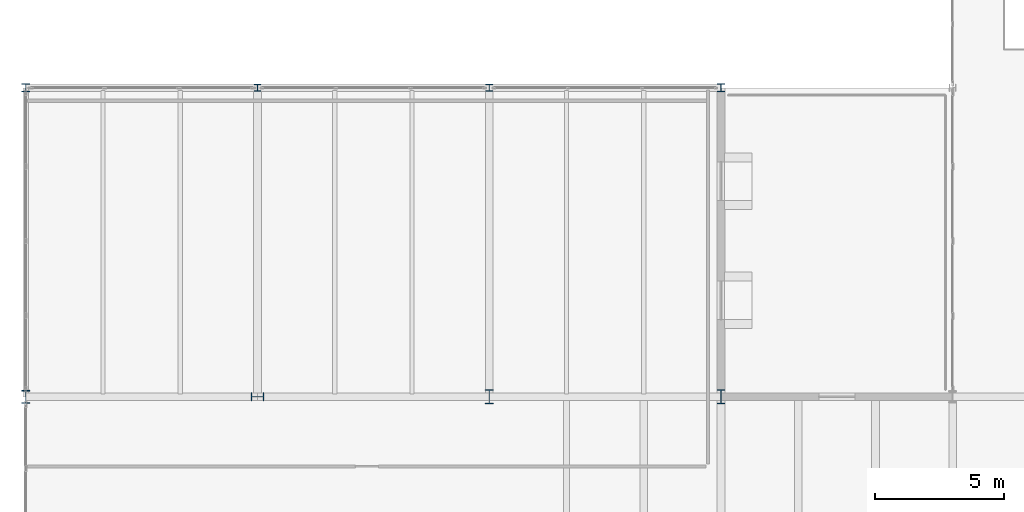
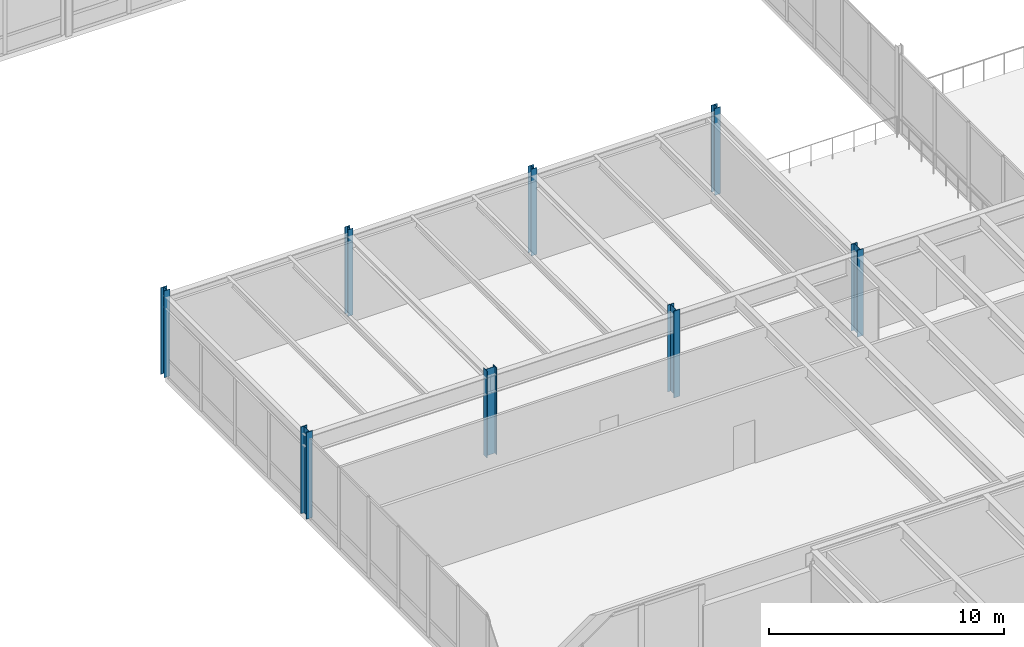
# One storey, part 2 of 115: 8 columns.
"""IFC4 building model written with IfcOpenShell, lengths in metres."""

from ifc_helpers import new_model, si_unit, direction, frame, origin, origin_2d, place, context, subcontext, project, spatial, i_section, extrude, material, material_profile, profile_set, type_object, element, save


model = new_model("IFC4")

# Units and contexts
model_context = context("Model", 3, precision=1e-05, world=origin(), true_north=direction((0.0, 1.0)))
body_context = subcontext(model_context, "Body", "Model", "MODEL_VIEW")
ifc_project = project(units=[si_unit("LENGTHUNIT", "METRE"), si_unit("AREAUNIT", "SQUARE_METRE"), si_unit("VOLUMEUNIT", "CUBIC_METRE"), si_unit("PLANEANGLEUNIT", "RADIAN"), si_unit("MASSUNIT", "GRAM", prefix="KILO")], contexts=[model_context])

# Site, building, storey
site_placement = place(None, origin())
site = spatial("IfcSite", under=ifc_project, at=site_placement, CompositionType="ELEMENT")
building_placement = place(site_placement, origin())
building = spatial("IfcBuilding", under=site, at=building_placement, Name="Montelvaro Courts of Justice", CompositionType="ELEMENT")
storey_placement = place(building_placement, frame((0.0, 0.0, 9.89990234375)))
storey = spatial("IfcBuildingStorey", under=building, at=storey_placement, Name="L02", CompositionType="ELEMENT", Elevation=9.89990234375)

# Columns
ifc_material = material(Name="Steel S355", Category="steel")
ifc_material_profile_1 = material_profile(ifc_material, i_section(OverallWidth=0.260009765625, OverallDepth=0.260009765625, WebThickness=0.010009765625, FlangeThickness=0.017578125, at=origin_2d()), Name="HEB 260")
ifc_profile_set_1 = profile_set([ifc_material_profile_1], Name="Steel S355")
column_type_1 = type_object("IfcColumnType", Name="Col_HEB260", PredefinedType="COLUMN", material=ifc_profile_set_1)
column_1_placement = place(storey_placement, frame((27.0, 54.0, 0.0), z_axis=(0.0, 0.0, 1.0), x_axis=(1.0, 0.0, 0.0)))
element("IfcColumn", 1, at=column_1_placement, inside=storey, type_object=column_type_1, Name="Column C-01 L02 4/E", PredefinedType="COLUMN", context=body_context, shape_type="SweptSolid", body=[
    extrude(i_section(OverallWidth=0.260009765625, OverallDepth=0.260009765625, WebThickness=0.010009765625, FlangeThickness=0.017578125, at=origin_2d()), origin(), (0.0, 0.0, 1.0), 4.5),
])
ifc_material_profile_2 = material_profile(ifc_material, i_section(OverallWidth=0.280029296875, OverallDepth=0.280029296875, WebThickness=0.010498046875, FlangeThickness=0.01806640625, at=origin_2d()), Name="HEB 280")
ifc_profile_set_2 = profile_set([ifc_material_profile_2], Name="Steel S355")
column_type_2 = type_object("IfcColumnType", Name="Col_HEB280", PredefinedType="COLUMN", material=ifc_profile_set_2)
column_2_placement = place(storey_placement, frame((36.0, 54.0, 0.0), z_axis=(0.0, 0.0, 1.0), x_axis=(1.0, 0.0, 0.0)))
element("IfcColumn", 2, at=column_2_placement, inside=storey, type_object=column_type_2, Name="Column C-02 L02 5/E", PredefinedType="COLUMN", context=body_context, shape_type="SweptSolid", body=[
    extrude(i_section(OverallWidth=0.280029296875, OverallDepth=0.280029296875, WebThickness=0.010498046875, FlangeThickness=0.01806640625, at=origin_2d()), origin(), (0.0, 0.0, 1.0), 4.5),
])
ifc_material_profile_3 = material_profile(ifc_material, i_section(OverallWidth=0.300048828125, OverallDepth=0.300048828125, WebThickness=0.010986328125, FlangeThickness=0.01904296875, at=origin_2d()), Name="HEB 300")
ifc_profile_set_3 = profile_set([ifc_material_profile_3], Name="Steel S355")
column_type_3 = type_object("IfcColumnType", Name="Col_HEB300", PredefinedType="COLUMN", material=ifc_profile_set_3)
for number, where, z_axis, x_axis, name in (
    (3, (18.0, 54.0, 0.0), (0.0, 0.0, 1.0), (1.0, 0.0, 0.0), "Column C-03 L02 3/E"),
    (4, (45.0, 54.0, 0.0), (0.0, 0.0, 1.0), (1.0, 0.0, 0.0), "Column C-03 L02 6/E"),
):
    element("IfcColumn", number, at=place(storey_placement, frame(where, z_axis=z_axis, x_axis=x_axis)), inside=storey, type_object=column_type_3, Name=name, PredefinedType="COLUMN", context=body_context, shape_type="SweptSolid", body=[
        extrude(i_section(OverallWidth=0.300048828125, OverallDepth=0.300048828125, WebThickness=0.010986328125, FlangeThickness=0.01904296875, at=origin_2d()), origin(), (0.0, 0.0, 1.0), 4.5),
    ])
ifc_material_profile_4 = material_profile(ifc_material, i_section(OverallWidth=0.300048828125, OverallDepth=0.5, WebThickness=0.014404296875, FlangeThickness=0.028076171875, at=origin_2d()), Name="HEB 500")
ifc_profile_set_4 = profile_set([ifc_material_profile_4], Name="Steel S355")
column_type_4 = type_object("IfcColumnType", Name="Col_HEB500", PredefinedType="COLUMN", material=ifc_profile_set_4)
for number, where, z_axis, x_axis, name in (
    (5, (18.0, 42.0, 0.0), (0.0, 0.0, 1.0), (1.0, 0.0, 0.0), "Column C-09 L02 3/D"),
    (6, (27.0, 42.0, 0.0), (0.0, 0.0, 1.0), (0.0, 1.0, 0.0), "Column C-09 L02 4/D"),
):
    element("IfcColumn", number, at=place(storey_placement, frame(where, z_axis=z_axis, x_axis=x_axis)), inside=storey, type_object=column_type_4, Name=name, PredefinedType="COLUMN", context=body_context, shape_type="SweptSolid", body=[
        extrude(i_section(OverallWidth=0.300048828125, OverallDepth=0.5, WebThickness=0.014404296875, FlangeThickness=0.028076171875, at=origin_2d()), origin(), (0.0, 0.0, 1.0), 4.5),
    ])
ifc_material_profile_5 = material_profile(ifc_material, i_section(OverallWidth=0.300048828125, OverallDepth=0.550048828125, WebThickness=0.014892578125, FlangeThickness=0.029052734375, at=origin_2d()), Name="HEB 550")
ifc_profile_set_5 = profile_set([ifc_material_profile_5], Name="Steel S355")
column_type_5 = type_object("IfcColumnType", Name="Col_HEB550", PredefinedType="COLUMN", material=ifc_profile_set_5)
for number, where, z_axis, x_axis, name in (
    (7, (36.0, 42.0, 0.0), (0.0, 0.0, 1.0), (1.0, 0.0, 0.0), "Column C-10 L02 5/D"),
    (8, (45.0, 42.0, 0.0), (0.0, 0.0, 1.0), (1.0, 0.0, 0.0), "Column C-10 L02 6/D"),
):
    element("IfcColumn", number, at=place(storey_placement, frame(where, z_axis=z_axis, x_axis=x_axis)), inside=storey, type_object=column_type_5, Name=name, PredefinedType="COLUMN", context=body_context, shape_type="SweptSolid", body=[
        extrude(i_section(OverallWidth=0.300048828125, OverallDepth=0.550048828125, WebThickness=0.014892578125, FlangeThickness=0.029052734375, at=origin_2d()), origin(), (0.0, 0.0, 1.0), 4.5),
    ])

save(model, "model.ifc")
